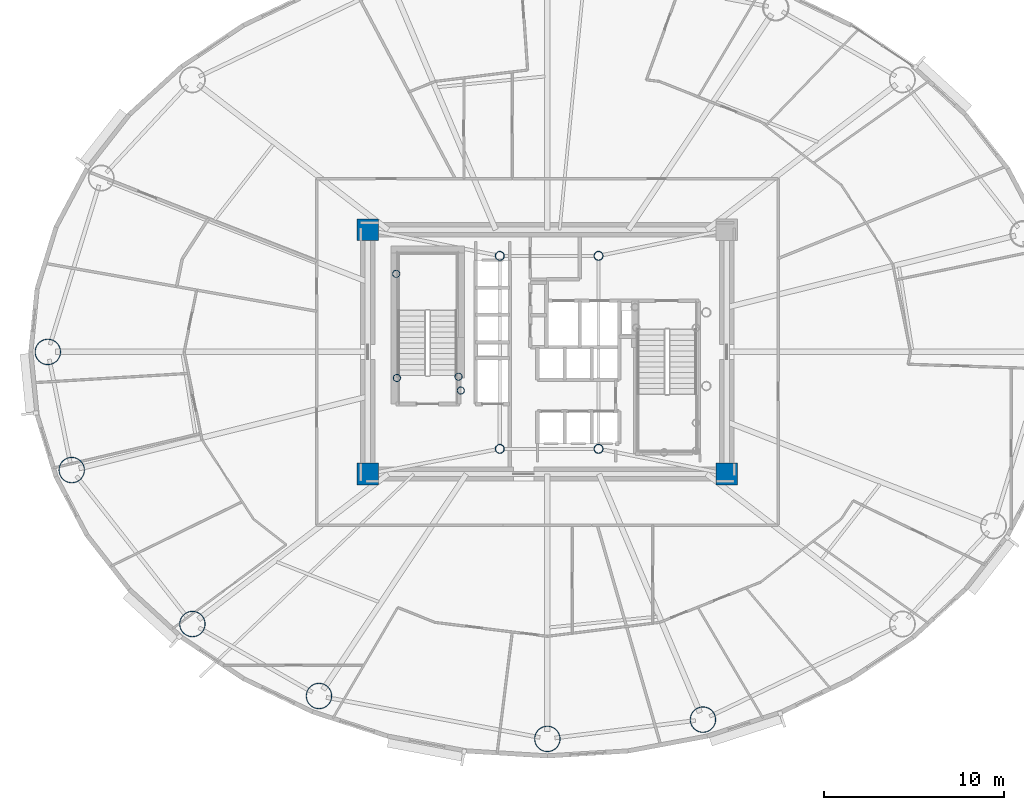
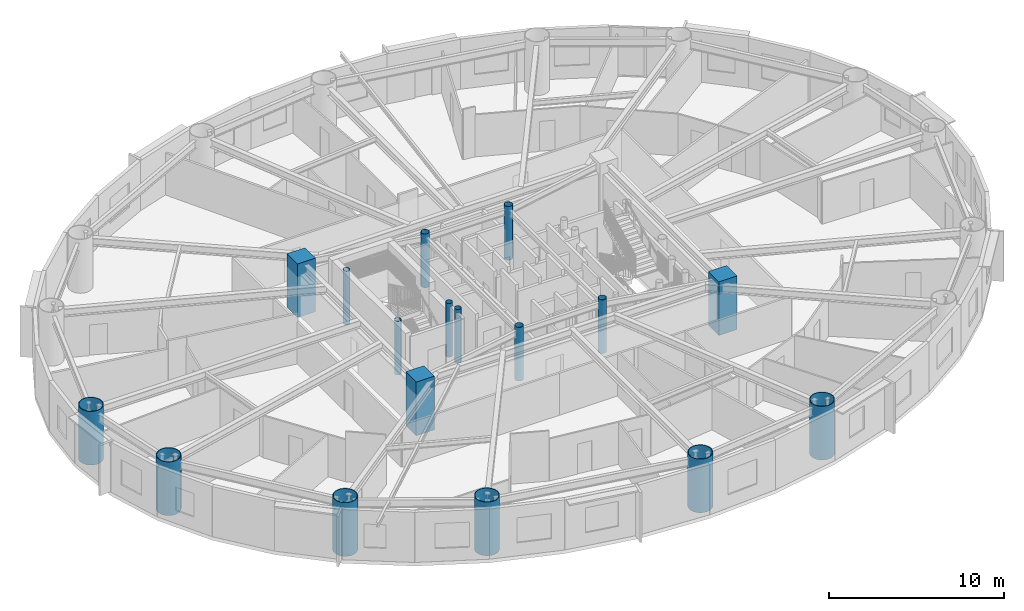
# One storey, part 1 of 20: 17 columns.
"""IFC4 building model written with IfcOpenShell, lengths in metres."""

import ifcopenshell
import ifcopenshell.guid

model = None  # the IFC model being written
_history = None  # IfcOwnerHistory: only IFC2X3 demands one
_inside = {}  # id of a spatial element -> (the spatial element, [elements in it])
_under = {}  # id of a project, library or spatial element -> (it, [spatial elements below it])
_declared = {}  # id of a project -> (the project, [libraries it declares])
_typed = {}  # id of a type object -> (the type object, [elements of that type])
_made_of = {}  # id of a material, layer set ... -> (it, [elements and type objects made of it])


def new_model(schema):
    """Start an empty IFC model of exactly this schema.

    Asked for "IFC4X3", IfcOpenShell would pick the latest addendum, in which some entities
    have other attributes; the version numbers below select the first issue.
    IFC2X3 requires an IfcOwnerHistory on every rooted entity: one is made here for all.
    """
    global model, _history
    if schema == "IFC4X3":
        model = ifcopenshell.file(schema_version=(4, 3, 0, 0))
    else:
        model = ifcopenshell.file(schema=schema)
    _inside.clear()
    _under.clear()
    _declared.clear()
    _typed.clear()
    _made_of.clear()
    _history = None
    if model.schema == "IFC2X3":
        org = make("IfcOrganization", Name="unknown")
        user = make(
            "IfcPersonAndOrganization",
            ThePerson=make("IfcPerson", FamilyName="unknown"),
            TheOrganization=org,
        )
        app = make(
            "IfcApplication",
            ApplicationDeveloper=org,
            Version="unknown",
            ApplicationFullName="unknown",
            ApplicationIdentifier="unknown",
        )
        _history = make(
            "IfcOwnerHistory",
            OwningUser=user,
            OwningApplication=app,
            ChangeAction="ADDED",
            CreationDate=0,
        )
    return model


def make(cls, **values):
    """One entity of the class cls with the attributes given. An attribute that is None is left unset."""
    return model.create_entity(
        cls, **{name: value for name, value in values.items() if value is not None}
    )


def rooted(cls, **values):
    """An entity with a GlobalId (a new one), such as an element, a storey or a relation."""
    return make(cls, GlobalId=ifcopenshell.guid.new(), OwnerHistory=_history, **values)


def si_unit(unit_type, name, prefix=None):
    """IfcSIUnit, for example si_unit("LENGTHUNIT", "METRE", prefix="MILLI")."""
    return make("IfcSIUnit", UnitType=unit_type, Prefix=prefix, Name=name)


def assignment(units):
    """IfcUnitAssignment: the units of a project."""
    return None if units is None else make("IfcUnitAssignment", Units=units)


def point(xyz):
    """IfcCartesianPoint."""
    return None if xyz is None else make("IfcCartesianPoint", Coordinates=xyz)


def direction(xyz):
    """IfcDirection."""
    return None if xyz is None else make("IfcDirection", DirectionRatios=xyz)


def frame(location, z_axis=None, x_axis=None):
    """IfcAxis2Placement3D, a coordinate frame: its origin and axes. An axis left out is left unset."""
    return make(
        "IfcAxis2Placement3D",
        Location=point(location),
        Axis=direction(z_axis),
        RefDirection=direction(x_axis),
    )


def frame_2d(location, x_axis=None):
    """IfcAxis2Placement2D, a coordinate frame in the plane: its origin and x axis."""
    return make(
        "IfcAxis2Placement2D", Location=point(location), RefDirection=direction(x_axis)
    )


def origin():
    """The frame at (0, 0, 0) with its axes left unset."""
    return frame((0.0, 0.0, 0.0))


def origin_2d():
    """The frame at (0, 0) in the plane with its x axis left unset."""
    return frame_2d((0.0, 0.0))


def place(relative_to, where):
    """IfcLocalPlacement: puts the frame where relative to a parent placement (None: the world)."""
    return make(
        "IfcLocalPlacement", PlacementRelTo=relative_to, RelativePlacement=where
    )


def context(
    kind, dimensions, precision=None, world=None, true_north=None, identifier=None
):
    """IfcGeometricRepresentationContext, for example the 3D "Model" context."""
    return make(
        "IfcGeometricRepresentationContext",
        ContextIdentifier=identifier,
        ContextType=kind,
        CoordinateSpaceDimension=dimensions,
        Precision=precision,
        WorldCoordinateSystem=world,
        TrueNorth=true_north,
    )


def subcontext(parent, identifier, kind, view, scale=None):
    """IfcGeometricRepresentationSubContext, for example "Body" below "Model"."""
    return make(
        "IfcGeometricRepresentationSubContext",
        ContextIdentifier=identifier,
        ContextType=kind,
        ParentContext=parent,
        TargetScale=scale,
        TargetView=view,
    )


def project(units=None, contexts=None):
    """IfcProject with its units and contexts."""
    return rooted(
        "IfcProject",
        Name="project",
        RepresentationContexts=contexts,
        UnitsInContext=assignment(units),
    )


def spatial(cls, under=None, at=None, **own):
    """A site, building, storey or space (cls), placed at a placement, below another one or the project."""
    s = rooted(cls, ObjectPlacement=at, **own)
    if under is not None:
        _under.setdefault(under.id(), (under, []))[1].append(s)
    return s


def profile(cls, at=None, kind="AREA", **sizes):
    """A parametric profile (cls). Its sizes go by their IFC names, for example OverallWidth=200.0."""
    return make(cls, ProfileType=kind, Position=at, **sizes)


def rectangle(**sizes):
    """IfcRectangleProfileDef."""
    return profile("IfcRectangleProfileDef", **sizes)


def hollow_circle(**sizes):
    """IfcCircleHollowProfileDef."""
    return profile("IfcCircleHollowProfileDef", **sizes)


def extrude(swept, where, along, depth):
    """IfcExtrudedAreaSolid: the profile swept, set in the frame where, extruded along a direction by depth."""
    return make(
        "IfcExtrudedAreaSolid",
        SweptArea=swept,
        Position=where,
        ExtrudedDirection=direction(along),
        Depth=depth,
    )


def shape(context_of_items, identifier, shape_type, items):
    """IfcShapeRepresentation: the items that make up one representation, for example the "Body"."""
    return make(
        "IfcShapeRepresentation",
        ContextOfItems=context_of_items,
        RepresentationIdentifier=identifier,
        RepresentationType=shape_type,
        Items=items,
    )


def material(Name=None, Category=None):
    """IfcMaterial."""
    return make("IfcMaterial", Name=Name, Category=Category)


def material_profile(
    of_material, cross_section, Name=None, Category=None, Priority=None
):
    """IfcMaterialProfile: a cross section and its material."""
    return make(
        "IfcMaterialProfile",
        Name=Name,
        Material=of_material,
        Profile=cross_section,
        Priority=Priority,
        Category=Category,
    )


def profile_set(profiles, Name=None, composite=None):
    """IfcMaterialProfileSet."""
    return make(
        "IfcMaterialProfileSet",
        Name=Name,
        MaterialProfiles=profiles,
        CompositeProfile=composite,
    )


def made_of(thing, what):
    """Note that an element or type object is made of a material, layer set ...; save() writes the relation."""
    if what is not None:
        _made_of.setdefault(what.id(), (what, []))[1].append(thing)
    return thing


def type_object(cls, material=None, **own):
    """A type object (cls), such as IfcWallType, which elements share."""
    return made_of(rooted(cls, **own), material)


def element(
    cls,
    number,
    at=None,
    inside=None,
    cuts=None,
    type_object=None,
    material=None,
    context=None,
    identifier="Body",
    shape_type=None,
    held_by="IfcProductDefinitionShape",
    body=None,
    shapes=None,
    **own,
):
    """One element of the class cls, such as IfcWall. Its Tag is "e" and its number.

    at: its placement. inside: the storey or other place that contains it. cuts: it is an
    opening in that element (IfcRelVoidsElement). A single representation is given by context,
    identifier, shape_type and body (its items); several are given by shapes. held_by: the class
    of the entity that holds the representations. save() writes the other relations.
    """
    e = rooted(cls, Tag="e%d" % number, ObjectPlacement=at, **own)
    if body is not None:
        shapes = [shape(context, identifier, shape_type, body)]
    if shapes is not None:
        e.Representation = make(held_by, Representations=shapes)
    if inside is not None:
        _inside.setdefault(inside.id(), (inside, []))[1].append(e)
    if cuts is not None:
        rooted(
            "IfcRelVoidsElement", RelatingBuildingElement=cuts, RelatedOpeningElement=e
        )
    if type_object is not None:
        _typed.setdefault(type_object.id(), (type_object, []))[1].append(e)
    return made_of(e, material)


def aggregate(whole, parts):
    """IfcRelAggregates: a whole, such as a stair, and the parts it consists of."""
    return rooted("IfcRelAggregates", RelatingObject=whole, RelatedObjects=parts)


def save(model, path):
    """Write the relations noted so far, then the file.

    IfcRelAggregates (storeys below a building ...), IfcRelContainedInSpatialStructure (elements
    in a storey), IfcRelDefinesByType, IfcRelAssociatesMaterial and IfcRelDeclares: one each for
    every whole, place, type object, material and project.
    """
    for whole, parts in _under.values():
        aggregate(whole, parts)
    for where, things in _inside.values():
        rooted(
            "IfcRelContainedInSpatialStructure",
            RelatedElements=things,
            RelatingStructure=where,
        )
    for kind, things in _typed.values():
        rooted("IfcRelDefinesByType", RelatedObjects=things, RelatingType=kind)
    for what, things in _made_of.values():
        rooted("IfcRelAssociatesMaterial", RelatedObjects=things, RelatingMaterial=what)
    for by, libraries in _declared.values():
        rooted("IfcRelDeclares", RelatingContext=by, RelatedDefinitions=libraries)
    model.write(path)


model = new_model("IFC4")

# Units and contexts
model_context = context("Model", 3, precision=1e-05, world=origin(), true_north=direction((0.0, 1.0)))
body_context = subcontext(model_context, "Body", "Model", "MODEL_VIEW")
ifc_project = project(units=[si_unit("LENGTHUNIT", "METRE"), si_unit("AREAUNIT", "SQUARE_METRE"), si_unit("VOLUMEUNIT", "CUBIC_METRE"), si_unit("PLANEANGLEUNIT", "RADIAN"), si_unit("MASSUNIT", "GRAM", prefix="KILO")], contexts=[model_context])

# Site, building, storey
site_placement = place(None, origin())
site = spatial("IfcSite", under=ifc_project, at=site_placement, CompositionType="ELEMENT")
building_placement = place(site_placement, origin())
building = spatial("IfcBuilding", under=site, at=building_placement, Name="Linh Dai School and Residence Tower", CompositionType="ELEMENT")
storey_placement = place(building_placement, frame((0.0, 0.0, 127.199951171875)))
storey = spatial("IfcBuildingStorey", under=building, at=storey_placement, Name="L30", CompositionType="ELEMENT", Elevation=127.199951171875)

# Columns
ifc_material_1 = material(Name="Concrete B60 (C50/60)", Category="concrete")
ifc_material_profile_1 = material_profile(ifc_material_1, rectangle(XDim=1.199951171875, YDim=1.199951171875, at=origin_2d()), Name="RC 1200x1200")
ifc_profile_set_1 = profile_set([ifc_material_profile_1], Name="Concrete B60 (C50/60)")
column_type_1 = type_object("IfcColumnType", Name="COL-CC2", PredefinedType="COLUMN", material=ifc_profile_set_1)
for number, where, z_axis, x_axis, name in (
    (1, (26.0, 20.199951171875, 0.0), (0.0, 0.0, 1.0), (1.0, 0.0, 0.0), "L30 Core Corner Pier CC1"),
    (2, (46.0, 20.199951171875, 0.0), (0.0, 0.0, 1.0), (1.0, 0.0, 0.0), "L30 Core Corner Pier CC2"),
    (3, (26.0, 33.800048828125, 0.0), (0.0, 0.0, 1.0), (1.0, 0.0, 0.0), "L30 Core Corner Pier CC4"),
):
    element("IfcColumn", number, at=place(storey_placement, frame(where, z_axis=z_axis, x_axis=x_axis)), inside=storey, type_object=column_type_1, Name=name, PredefinedType="COLUMN", context=body_context, shape_type="SweptSolid", body=[
        extrude(rectangle(XDim=1.199951171875, YDim=1.199951171875, at=origin_2d()), origin(), (0.0, 0.0, 1.0), 3.75),
    ])
ifc_material_2 = material(Name="Structural Steel S355JR", Category="steel")
ifc_material_profile_2 = material_profile(ifc_material_2, hollow_circle(Radius=0.203125, WallThickness=0.01611328125, at=origin_2d()), Name="CHS 406.4x16")
ifc_profile_set_2 = profile_set([ifc_material_profile_2], Name="Structural Steel S355JR")
column_type_2 = type_object("IfcColumnType", Name="COL-EC", PredefinedType="COLUMN", material=ifc_profile_set_2)
for number, where, z_axis, x_axis, name in (
    (4, (27.580078125, 31.35009765625, 0.0), (0.0, 0.0, 1.0), (1.0, 0.0, 0.0), "L30 Stair Shaft Landing Support Pier ST1NW"),
    (5, (31.050048828125, 25.6201171875, 0.0), (0.0, 0.0, 1.0), (1.0, 0.0, 0.0), "L30 Stair Shaft Landing Support Pier ST1SE"),
    (6, (31.179931640625, 24.85009765625, 0.0), (0.0, 0.0, 1.0), (1.0, 0.0, 0.0), "L30 Stair Shaft Landing Support Pier ST1SM"),
    (7, (27.6201171875, 25.550048828125, 0.0), (0.0, 0.0, 1.0), (1.0, 0.0, 0.0), "L30 Stair Shaft Landing Support Pier ST1SW"),
):
    element("IfcColumn", number, at=place(storey_placement, frame(where, z_axis=z_axis, x_axis=x_axis)), inside=storey, type_object=column_type_2, Name=name, PredefinedType="COLUMN", context=body_context, shape_type="SweptSolid", body=[
        extrude(hollow_circle(Radius=0.203125, WallThickness=0.01611328125, at=origin_2d()), origin(), (0.0, 0.0, 1.0), 3.75),
    ])
ifc_material_profile_3 = material_profile(ifc_material_2, hollow_circle(Radius=0.72509765625, WallThickness=0.0419921875, at=origin_2d()), Name="CHS 1450x42")
ifc_profile_set_3 = profile_set([ifc_material_profile_3], Name="Structural Steel S355JR")
column_type_3 = type_object("IfcColumnType", Name="COL-MC3", PredefinedType="COLUMN", material=ifc_profile_set_3)
for number, where, z_axis, x_axis, name in (
    (8, (8.175048828125, 27.0, 0.0), (0.0, 0.0, 1.0), (1.0, 0.0, 0.0), "L30 Perimeter CFT Mega-Column MC09"),
    (9, (9.50732421875, 20.4189453125, 0.0), (0.0, 0.0, 1.0), (1.0, 0.0, 0.0), "L30 Perimeter CFT Mega-Column MC10"),
    (10, (16.227294921875, 11.844482421875, 0.0), (0.0, 0.0, 1.0), (1.0, 0.0, 0.0), "L30 Perimeter CFT Mega-Column MC11"),
    (11, (23.278076171875, 7.8349609375, 0.0), (0.0, 0.0, 1.0), (1.0, 0.0, 0.0), "L30 Perimeter CFT Mega-Column MC12"),
    (12, (36.0, 5.445068359375, 0.0), (0.0, 0.0, 1.0), (1.0, 0.0, 0.0), "L30 Perimeter CFT Mega-Column MC13"),
    (13, (44.66552734375, 6.519287109375, 0.0), (0.0, 0.0, 1.0), (1.0, 0.0, 0.0), "L30 Perimeter CFT Mega-Column MC14"),
):
    element("IfcColumn", number, at=place(storey_placement, frame(where, z_axis=z_axis, x_axis=x_axis)), inside=storey, type_object=column_type_3, Name=name, PredefinedType="COLUMN", context=body_context, shape_type="SweptSolid", body=[
        extrude(hollow_circle(Radius=0.72509765625, WallThickness=0.0419921875, at=origin_2d()), origin(), (0.0, 0.0, 1.0), 3.75),
    ])
ifc_material_profile_4 = material_profile(ifc_material_2, hollow_circle(Radius=0.25390625, WallThickness=0.02001953125, at=origin_2d()), Name="CHS 508x20")
ifc_profile_set_4 = profile_set([ifc_material_profile_4], Name="Structural Steel S355JR")
column_type_4 = type_object("IfcColumnType", Name="COL-MCP", PredefinedType="COLUMN", material=ifc_profile_set_4)
for number, where, z_axis, x_axis, name in (
    (14, (33.35009765625, 21.60009765625, 0.0), (0.0, 0.0, 1.0), (1.0, 0.0, 0.0), "L30 Core Mast Support Pier MCP1"),
    (15, (38.85009765625, 21.60009765625, 0.0), (0.0, 0.0, 1.0), (1.0, 0.0, 0.0), "L30 Core Mast Support Pier MCP2"),
    (16, (38.85009765625, 32.35009765625, 0.0), (0.0, 0.0, 1.0), (1.0, 0.0, 0.0), "L30 Core Mast Support Pier MCP3"),
    (17, (33.35009765625, 32.35009765625, 0.0), (0.0, 0.0, 1.0), (1.0, 0.0, 0.0), "L30 Core Mast Support Pier MCP4"),
):
    element("IfcColumn", number, at=place(storey_placement, frame(where, z_axis=z_axis, x_axis=x_axis)), inside=storey, type_object=column_type_4, Name=name, PredefinedType="COLUMN", context=body_context, shape_type="SweptSolid", body=[
        extrude(hollow_circle(Radius=0.25390625, WallThickness=0.02001953125, at=origin_2d()), origin(), (0.0, 0.0, 1.0), 3.75),
    ])

save(model, "model.ifc")
